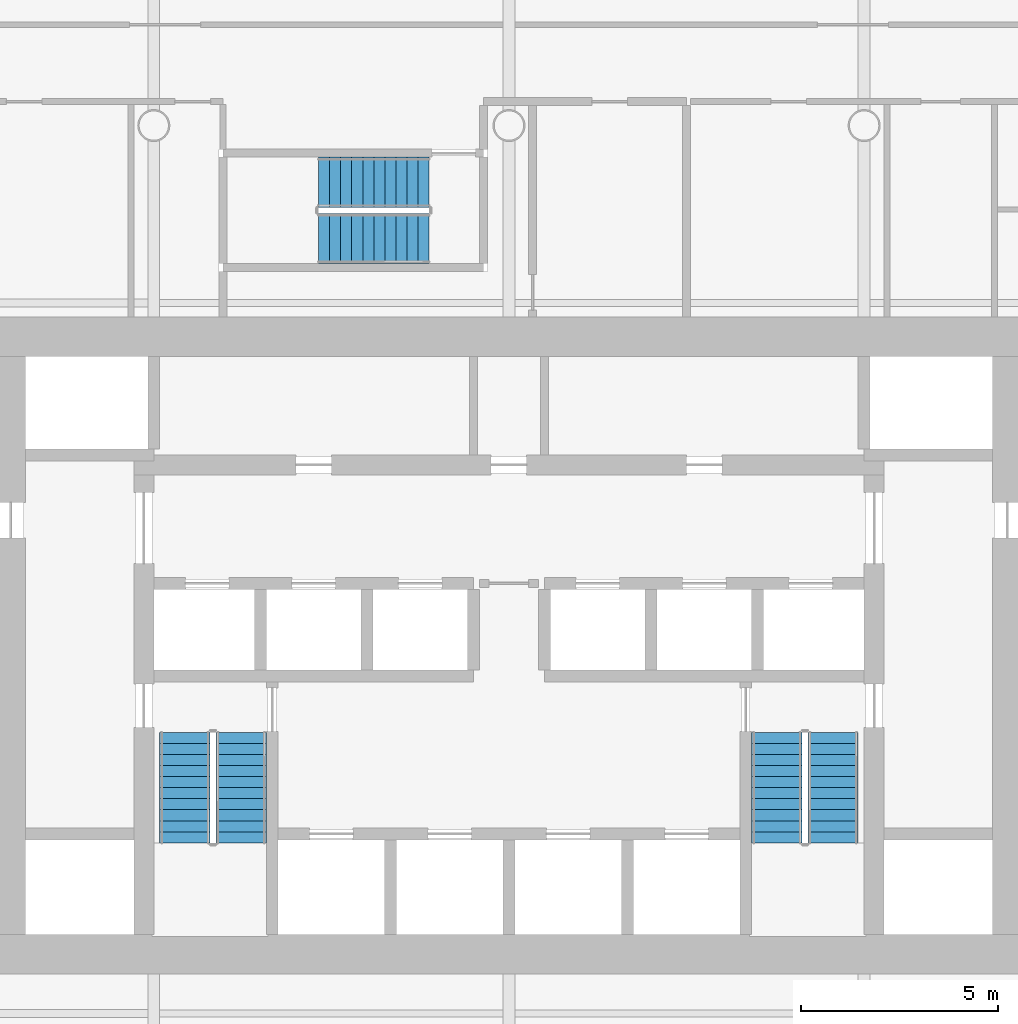
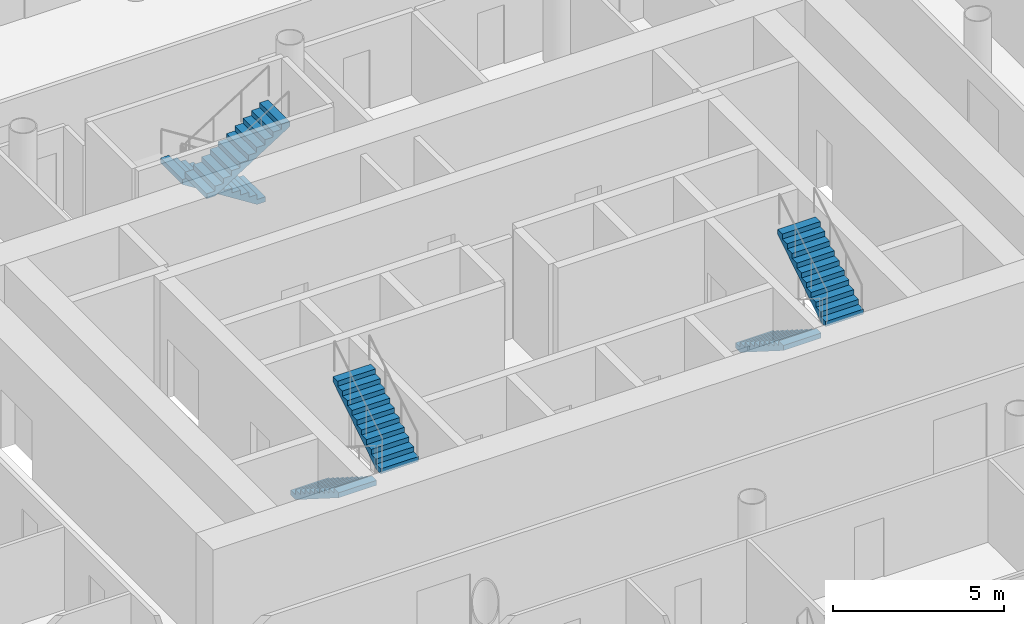
# One storey, part 17 of 22: 6 stair flights, 3 elements without a shape of their own.
"""IFC4 building model written with IfcOpenShell, lengths in metres."""

from ifc_helpers import new_model, si_unit, direction, frame, origin, place, context, subcontext, project, spatial, polyline, outline, extrude, material, type_object, element, aggregate, save


model = new_model("IFC4")

# Units and contexts
model_context = context("Model", 3, precision=1e-05, world=origin(), true_north=direction((0.0, 1.0)))
body_context = subcontext(model_context, "Body", "Model", "MODEL_VIEW")
ifc_project = project(units=[si_unit("LENGTHUNIT", "METRE"), si_unit("AREAUNIT", "SQUARE_METRE"), si_unit("VOLUMEUNIT", "CUBIC_METRE"), si_unit("PLANEANGLEUNIT", "RADIAN"), si_unit("MASSUNIT", "GRAM", prefix="KILO")], contexts=[model_context])

# Site, building, storey
site_placement = place(None, origin())
site = spatial("IfcSite", under=ifc_project, at=site_placement, CompositionType="ELEMENT")
building_placement = place(site_placement, origin())
building = spatial("IfcBuilding", under=site, at=building_placement, Name="Tskaro Facet Tower", CompositionType="ELEMENT")
storey_placement = place(building_placement, frame((0.0, 0.0, 73.800048828125)))
storey = spatial("IfcBuildingStorey", under=building, at=storey_placement, Name="L17", CompositionType="ELEMENT", Elevation=73.800048828125)

# Stair, stair flights
ifc_material = material(Name="Concrete C40/50", Category="concrete")
stair_type = type_object("IfcStairType", Name="ST-TWR", PredefinedType="HALF_TURN_STAIR", material=ifc_material)
stair_1_placement = place(storey_placement, origin())
stair_1 = element("IfcStair", 1, at=stair_1_placement, inside=storey, type_object=stair_type, Name="L17 Exit stair 1", PredefinedType="HALF_TURN_STAIR")
stair_flight_type = type_object("IfcStairFlightType", Name="SFL-RC", PredefinedType="STRAIGHT", material=ifc_material)
stair_flight_1_placement = place(storey_placement, frame((-8.21240234375, -6.375, 0.0), z_axis=(0.0, 0.0, 1.0), x_axis=(0.0, -1.0, 0.0)))
stair_flight_1 = element("IfcStairFlight", 2, at=stair_flight_1_placement, type_object=stair_flight_type, Name="ST-1 flight 1", NumberOfRisers=11, NumberOfTreads=10, PredefinedType="STRAIGHT", RiserHeight=0.177272727, TreadLength=0.28, context=body_context, shape_type="SweptSolid", body=[
    extrude(outline(polyline([(0.0, 0.0), (0.0, 0.17724609375), (0.280029296875, 0.17724609375), (0.280029296875, 0.3544921875), (0.56005859375, 0.3544921875), (0.56005859375, 0.53173828125), (0.840087890625, 0.53173828125), (0.840087890625, 0.708984375), (1.1201171875, 0.708984375), (1.1201171875, 0.886474609375), (1.39990234375, 0.886474609375), (1.39990234375, 1.063720703125), (1.679931640625, 1.063720703125), (1.679931640625, 1.240966796875), (1.9599609375, 1.240966796875), (1.9599609375, 1.418212890625), (2.239990234375, 1.418212890625), (2.239990234375, 1.595458984375), (2.52001953125, 1.595458984375), (2.52001953125, 1.772705078125), (2.800048828125, 1.772705078125), (2.800048828125, 1.949951171875), (2.800048828125, 1.59521484375), (0.2802734375, 0.0), (0.0, 0.0)])), frame((0.0, 0.637451171875, 0.0), z_axis=(0.0, -1.0, 0.0), x_axis=(1.0, 0.0, 0.0)), (0.0, 0.0, 1.0), 1.27490234375),
])
stair_flight_2_placement = place(storey_placement, frame((-6.78759765625, -9.175048828125, 1.949951171875), z_axis=(0.0, 0.0, 1.0), x_axis=(0.0, 1.0, 0.0)))
stair_flight_2 = element("IfcStairFlight", 3, at=stair_flight_2_placement, type_object=stair_flight_type, Name="ST-1 flight 2", NumberOfRisers=11, NumberOfTreads=10, PredefinedType="STRAIGHT", RiserHeight=0.177272727, TreadLength=0.28, context=body_context, shape_type="SweptSolid", body=[
    extrude(outline(polyline([(0.0, 0.0), (0.0, 0.17724609375), (0.280029296875, 0.17724609375), (0.280029296875, 0.3544921875), (0.56005859375, 0.3544921875), (0.56005859375, 0.53173828125), (0.840087890625, 0.53173828125), (0.840087890625, 0.708984375), (1.1201171875, 0.708984375), (1.1201171875, 0.886474609375), (1.39990234375, 0.886474609375), (1.39990234375, 1.063720703125), (1.679931640625, 1.063720703125), (1.679931640625, 1.240966796875), (1.9599609375, 1.240966796875), (1.9599609375, 1.418212890625), (2.239990234375, 1.418212890625), (2.239990234375, 1.595458984375), (2.52001953125, 1.595458984375), (2.52001953125, 1.772705078125), (2.800048828125, 1.772705078125), (2.800048828125, 1.949951171875), (2.800048828125, 1.59521484375), (0.2802734375, 0.0), (0.0, 0.0)])), frame((0.0, 0.637451171875, 0.0), z_axis=(0.0, -1.0, 0.0), x_axis=(1.0, 0.0, 0.0)), (0.0, 0.0, 1.0), 1.27490234375),
])
aggregate(stair_1, [stair_flight_1, stair_flight_2])

stair_2_placement = place(storey_placement, origin())
stair_2 = element("IfcStair", 4, at=stair_2_placement, inside=storey, type_object=stair_type, Name="L17 Exit stair 2", PredefinedType="HALF_TURN_STAIR")
stair_flight_3_placement = place(storey_placement, frame((6.78759765625, -6.375, 0.0), z_axis=(0.0, 0.0, 1.0), x_axis=(0.0, -1.0, 0.0)))
stair_flight_3 = element("IfcStairFlight", 5, at=stair_flight_3_placement, type_object=stair_flight_type, Name="ST-2 flight 1", NumberOfRisers=11, NumberOfTreads=10, PredefinedType="STRAIGHT", RiserHeight=0.177272727, TreadLength=0.28, context=body_context, shape_type="SweptSolid", body=[
    extrude(outline(polyline([(0.0, 0.0), (0.0, 0.17724609375), (0.280029296875, 0.17724609375), (0.280029296875, 0.3544921875), (0.56005859375, 0.3544921875), (0.56005859375, 0.53173828125), (0.840087890625, 0.53173828125), (0.840087890625, 0.708984375), (1.1201171875, 0.708984375), (1.1201171875, 0.886474609375), (1.39990234375, 0.886474609375), (1.39990234375, 1.063720703125), (1.679931640625, 1.063720703125), (1.679931640625, 1.240966796875), (1.9599609375, 1.240966796875), (1.9599609375, 1.418212890625), (2.239990234375, 1.418212890625), (2.239990234375, 1.595458984375), (2.52001953125, 1.595458984375), (2.52001953125, 1.772705078125), (2.800048828125, 1.772705078125), (2.800048828125, 1.949951171875), (2.800048828125, 1.59521484375), (0.2802734375, 0.0), (0.0, 0.0)])), frame((0.0, 0.637451171875, 0.0), z_axis=(0.0, -1.0, 0.0), x_axis=(1.0, 0.0, 0.0)), (0.0, 0.0, 1.0), 1.27490234375),
])
stair_flight_4_placement = place(storey_placement, frame((8.21240234375, -9.175048828125, 1.949951171875), z_axis=(0.0, 0.0, 1.0), x_axis=(0.0, 1.0, 0.0)))
stair_flight_4 = element("IfcStairFlight", 6, at=stair_flight_4_placement, type_object=stair_flight_type, Name="ST-2 flight 2", NumberOfRisers=11, NumberOfTreads=10, PredefinedType="STRAIGHT", RiserHeight=0.177272727, TreadLength=0.28, context=body_context, shape_type="SweptSolid", body=[
    extrude(outline(polyline([(0.0, 0.0), (0.0, 0.17724609375), (0.280029296875, 0.17724609375), (0.280029296875, 0.3544921875), (0.56005859375, 0.3544921875), (0.56005859375, 0.53173828125), (0.840087890625, 0.53173828125), (0.840087890625, 0.708984375), (1.1201171875, 0.708984375), (1.1201171875, 0.886474609375), (1.39990234375, 0.886474609375), (1.39990234375, 1.063720703125), (1.679931640625, 1.063720703125), (1.679931640625, 1.240966796875), (1.9599609375, 1.240966796875), (1.9599609375, 1.418212890625), (2.239990234375, 1.418212890625), (2.239990234375, 1.595458984375), (2.52001953125, 1.595458984375), (2.52001953125, 1.772705078125), (2.800048828125, 1.772705078125), (2.800048828125, 1.949951171875), (2.800048828125, 1.59521484375), (0.2802734375, 0.0), (0.0, 0.0)])), frame((0.0, 0.637451171875, 0.0), z_axis=(0.0, -1.0, 0.0), x_axis=(1.0, 0.0, 0.0)), (0.0, 0.0, 1.0), 1.27490234375),
])
aggregate(stair_2, [stair_flight_3, stair_flight_4])

stair_3_placement = place(storey_placement, origin())
stair_3 = element("IfcStair", 7, at=stair_3_placement, inside=storey, type_object=stair_type, Name="L17 Exit stair 3", PredefinedType="HALF_TURN_STAIR")
stair_flight_5_placement = place(storey_placement, frame((-2.02490234375, 7.5625, 0.0), z_axis=(0.0, 0.0, 1.0), x_axis=(-1.0, 0.0, 0.0)))
stair_flight_5 = element("IfcStairFlight", 8, at=stair_flight_5_placement, type_object=stair_flight_type, Name="ST-3 flight 1", NumberOfRisers=11, NumberOfTreads=10, PredefinedType="STRAIGHT", RiserHeight=0.177272727, TreadLength=0.28, context=body_context, shape_type="SweptSolid", body=[
    extrude(outline(polyline([(0.0, 0.0), (0.0, 0.17724609375), (0.280029296875, 0.17724609375), (0.280029296875, 0.3544921875), (0.56005859375, 0.3544921875), (0.56005859375, 0.53173828125), (0.840087890625, 0.53173828125), (0.840087890625, 0.708984375), (1.1201171875, 0.708984375), (1.1201171875, 0.886474609375), (1.39990234375, 0.886474609375), (1.39990234375, 1.063720703125), (1.679931640625, 1.063720703125), (1.679931640625, 1.240966796875), (1.9599609375, 1.240966796875), (1.9599609375, 1.418212890625), (2.239990234375, 1.418212890625), (2.239990234375, 1.595458984375), (2.52001953125, 1.595458984375), (2.52001953125, 1.772705078125), (2.800048828125, 1.772705078125), (2.800048828125, 1.949951171875), (2.800048828125, 1.59521484375), (0.2802734375, 0.0), (0.0, 0.0)])), frame((0.0, 0.637451171875, 0.0), z_axis=(0.0, -1.0, 0.0), x_axis=(1.0, 0.0, 0.0)), (0.0, 0.0, 1.0), 1.27490234375),
])
stair_flight_6_placement = place(storey_placement, frame((-4.824951171875, 6.137451171875, 1.949951171875), z_axis=(0.0, 0.0, 1.0), x_axis=(1.0, 0.0, 0.0)))
stair_flight_6 = element("IfcStairFlight", 9, at=stair_flight_6_placement, type_object=stair_flight_type, Name="ST-3 flight 2", NumberOfRisers=11, NumberOfTreads=10, PredefinedType="STRAIGHT", RiserHeight=0.177272727, TreadLength=0.28, context=body_context, shape_type="SweptSolid", body=[
    extrude(outline(polyline([(0.0, 0.0), (0.0, 0.17724609375), (0.280029296875, 0.17724609375), (0.280029296875, 0.3544921875), (0.56005859375, 0.3544921875), (0.56005859375, 0.53173828125), (0.840087890625, 0.53173828125), (0.840087890625, 0.708984375), (1.1201171875, 0.708984375), (1.1201171875, 0.886474609375), (1.39990234375, 0.886474609375), (1.39990234375, 1.063720703125), (1.679931640625, 1.063720703125), (1.679931640625, 1.240966796875), (1.9599609375, 1.240966796875), (1.9599609375, 1.418212890625), (2.239990234375, 1.418212890625), (2.239990234375, 1.595458984375), (2.52001953125, 1.595458984375), (2.52001953125, 1.772705078125), (2.800048828125, 1.772705078125), (2.800048828125, 1.949951171875), (2.800048828125, 1.59521484375), (0.2802734375, 0.0), (0.0, 0.0)])), frame((0.0, 0.637451171875, 0.0), z_axis=(0.0, -1.0, 0.0), x_axis=(1.0, 0.0, 0.0)), (0.0, 0.0, 1.0), 1.27490234375),
])
aggregate(stair_3, [stair_flight_5, stair_flight_6])

save(model, "model.ifc")
